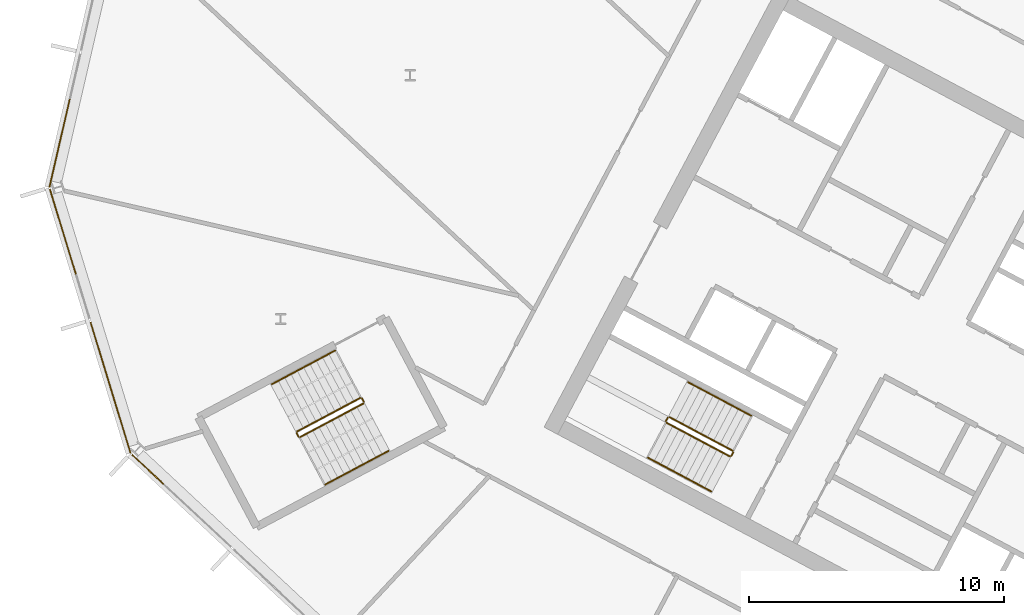
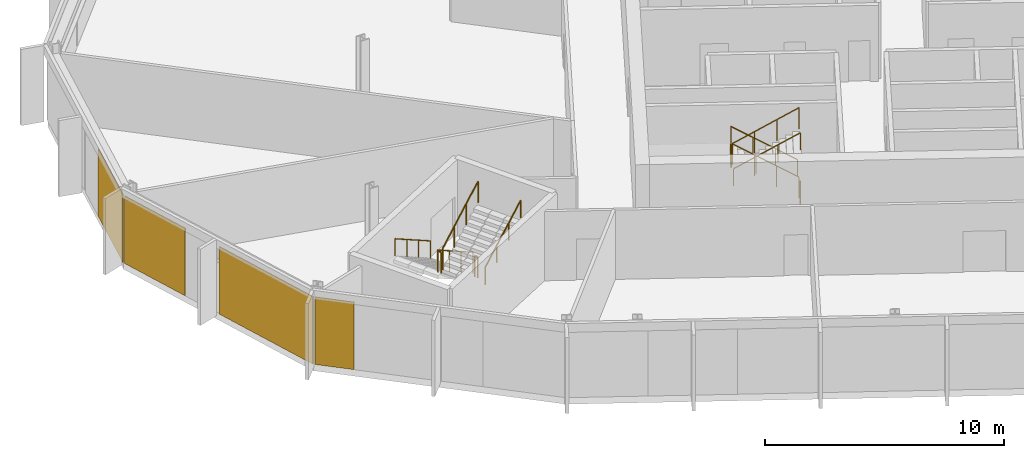
# One storey, part 20 of 26: 12 railings, 4 coverings, 3 elements without a shape of their own.
"""IFC4 building model written with IfcOpenShell, lengths in metres."""

from ifc_helpers import new_model, si_unit, direction, frame, origin, origin_2d, place, context, subcontext, project, spatial, polyline, rectangle, outline, extrude, material, layer, layer_set, type_object, element, aggregate, save


model = new_model("IFC4")

# Units and contexts
model_context = context("Model", 3, precision=1e-05, world=origin(), true_north=direction((0.0, 1.0)))
body_context = subcontext(model_context, "Body", "Model", "MODEL_VIEW")
ifc_project = project(units=[si_unit("LENGTHUNIT", "METRE"), si_unit("AREAUNIT", "SQUARE_METRE"), si_unit("VOLUMEUNIT", "CUBIC_METRE"), si_unit("PLANEANGLEUNIT", "RADIAN"), si_unit("MASSUNIT", "GRAM", prefix="KILO")], contexts=[model_context])

# Site, building, storey
site_placement = place(None, origin())
site = spatial("IfcSite", under=ifc_project, at=site_placement, CompositionType="ELEMENT")
building_placement = place(site_placement, origin())
building = spatial("IfcBuilding", under=site, at=building_placement, Name="Cormorant Relay Tower", CompositionType="ELEMENT")
storey_placement = place(building_placement, frame((0.0, 0.0, 244.199951171875)))
storey = spatial("IfcBuildingStorey", under=building, at=storey_placement, Name="L54", CompositionType="ELEMENT", Elevation=244.199951171875)

# Curtain wall, covering
ifc_material_1 = material(Name="Aluminium 6063-T6 anodised bronze", Category="aluminium")
ifc_layer_1 = layer(ifc_material_1, 0.199951171875)
ifc_layer_set_1 = layer_set([ifc_layer_1], Name="CW1 unitised bronze curtain wall with vertical fins")
curtain_wall_type = type_object("IfcCurtainWallType", Name="CW1 unitised bronze curtain wall with vertical fins", PredefinedType="NOTDEFINED", material=ifc_layer_set_1)
curtain_wall_1_placement = place(storey_placement, origin())
curtain_wall_1 = element("IfcCurtainWall", 1, at=curtain_wall_1_placement, inside=storey, type_object=curtain_wall_type, Name="CW1 curtain wall 13", PredefinedType="NOTDEFINED")
ifc_material_2 = material(Name="Pale bronze anodised aluminium insulated panel", Category="aluminium")
ifc_layer_2 = layer(ifc_material_2, 0.0400390625)
ifc_layer_set_2 = layer_set([ifc_layer_2], Name="CW1 pale bronze insulated panel 40")
covering_type = type_object("IfcCoveringType", Name="CW1 pale bronze insulated panel 40", PredefinedType="CLADDING", material=ifc_layer_set_2)
covering_1_placement = place(storey_placement, frame((-60.3388671875, 22.13232421875, 0.0), z_axis=(0.0, 0.0, 1.0), x_axis=(-0.224951054344, -0.974370064785, 0.0)))
covering_1 = element("IfcCovering", 2, at=covering_1_placement, type_object=covering_type, Name="CW1 panel S02", PredefinedType="CLADDING", context=body_context, shape_type="SweptSolid", body=[
    extrude(rectangle(XDim=3.560302734375, YDim=0.0400390625, at=origin_2d()), origin(), (0.0, 0.0, 1.0), 3.449951171875),
])
aggregate(curtain_wall_1, [covering_1])

# Curtain wall, coverings
curtain_wall_2_placement = place(storey_placement, origin())
curtain_wall_2 = element("IfcCurtainWall", 3, at=curtain_wall_2_placement, inside=storey, type_object=curtain_wall_type, Name="CW1 curtain wall 14", PredefinedType="NOTDEFINED")
covering_2_placement = place(storey_placement, frame((-60.20751953125, 18.6494140625, 0.0), z_axis=(0.0, 0.0, 1.0), x_axis=(0.292371704723, -0.956304755963, 0.0)))
covering_2 = element("IfcCovering", 4, at=covering_2_placement, type_object=covering_type, Name="CW1 panel S00", PredefinedType="CLADDING", context=body_context, shape_type="SweptSolid", body=[
    extrude(rectangle(XDim=3.485107421875, YDim=0.0400390625, at=origin_2d()), origin(), (0.0, 0.0, 1.0), 3.449951171875),
])
covering_3_placement = place(storey_placement, frame((-58.344482421875, 12.55517578125, 0.0), z_axis=(0.0, 0.0, 1.0), x_axis=(0.292371704723, -0.956304755963, 0.0)))
covering_3 = element("IfcCovering", 5, at=covering_3_placement, type_object=covering_type, Name="CW1 panel S02", PredefinedType="CLADDING", context=body_context, shape_type="SweptSolid", body=[
    extrude(rectangle(XDim=5.360107421875, YDim=0.0400390625, at=origin_2d()), origin(), (0.0, 0.0, 1.0), 3.449951171875),
])
aggregate(curtain_wall_2, [covering_2, covering_3])

# Curtain wall, covering
curtain_wall_3_placement = place(storey_placement, origin())
curtain_wall_3 = element("IfcCurtainWall", 6, at=curtain_wall_3_placement, inside=storey, type_object=curtain_wall_type, Name="CW1 curtain wall 15", PredefinedType="NOTDEFINED")
covering_4_placement = place(storey_placement, frame((-56.88427734375, 9.357421875, 0.0), z_axis=(0.0, 0.0, 1.0), x_axis=(0.731353701619, -0.681998360062, 0.0)))
covering_4 = element("IfcCovering", 7, at=covering_4_placement, type_object=covering_type, Name="CW1 panel S00", PredefinedType="CLADDING", context=body_context, shape_type="SweptSolid", body=[
    extrude(rectangle(XDim=1.685302734375, YDim=0.0400390625, at=origin_2d()), origin(), (0.0, 0.0, 1.0), 3.449951171875),
])
aggregate(curtain_wall_3, [covering_4])

# Railings
ifc_material_3 = material(Name="Steel ASTM A572 Grade 50 (Fy 345 MPa)", Category="steel")
railing_type_1 = type_object("IfcRailingType", Name="Stair guard 1100", PredefinedType="GUARDRAIL", material=ifc_material_3)
railing_1_placement = place(storey_placement, frame((-33.9921875, 10.08935546875, 0.17724609375)))
element("IfcRailing", 8, at=railing_1_placement, inside=storey, type_object=railing_type_1, Name="L54 A2 stair guard 1", PredefinedType="GUARDRAIL", context=body_context, shape_type="SweptSolid", body=[
    extrude(outline(polyline([(0.022216796875, 0.00927734375), (0.00927734375, 0.022216796875), (-0.00927734375, 0.022216796875), (-0.022216796875, 0.00927734375), (-0.022216796875, -0.00927734375), (-0.00927734375, -0.022216796875), (0.00927734375, -0.022216796875), (0.022216796875, -0.00927734375), (0.022216796875, 0.00927734375)])), frame((0.0, 0.0, 1.076171875), z_axis=(-0.746001213114, 0.396649272309, 0.534931345884), x_axis=(-0.469465464807, -0.882950835185, 0.0)), (0.0, 0.0, 1.0), 3.31396484375),
    extrude(outline(polyline([(0.019287109375, 0.008056640625), (0.008056640625, 0.019287109375), (-0.008056640625, 0.019287109375), (-0.019287109375, 0.008056640625), (-0.019287109375, -0.008056640625), (-0.008056640625, -0.019287109375), (0.008056640625, -0.019287109375), (0.019287109375, -0.008056640625), (0.019287109375, 0.008056640625)])), origin(), (0.0, 0.0, 1.0), 1.052001953125),
    extrude(outline(polyline([(0.019287109375, 0.008056640625), (0.008056640625, 0.019287109375), (-0.008056640625, 0.019287109375), (-0.019287109375, 0.008056640625), (-0.019287109375, -0.008056640625), (-0.008056640625, -0.019287109375), (0.008056640625, -0.019287109375), (0.019287109375, -0.008056640625), (0.019287109375, 0.008056640625)])), frame((-0.823974609375, 0.438232421875, 0.5908203125)), (0.0, 0.0, 1.0), 1.052001953125),
    extrude(outline(polyline([(0.019287109375, 0.008056640625), (0.008056640625, 0.019287109375), (-0.008056640625, 0.019287109375), (-0.019287109375, 0.008056640625), (-0.019287109375, -0.008056640625), (-0.008056640625, -0.019287109375), (0.008056640625, -0.019287109375), (0.019287109375, -0.008056640625), (0.019287109375, 0.008056640625)])), frame((-1.648193359375, 0.876220703125, 1.181884765625)), (0.0, 0.0, 1.0), 1.052001953125),
    extrude(outline(polyline([(0.019287109375, 0.008056640625), (0.008056640625, 0.019287109375), (-0.008056640625, 0.019287109375), (-0.019287109375, 0.008056640625), (-0.019287109375, -0.008056640625), (-0.008056640625, -0.019287109375), (0.008056640625, -0.019287109375), (0.019287109375, -0.008056640625), (0.019287109375, 0.008056640625)])), frame((-2.47216796875, 1.314453125, 1.772705078125)), (0.0, 0.0, 1.0), 1.052001953125),
])
railing_2_placement = place(storey_placement, frame((-36.531982421875, 11.38330078125, 1.949951171875)))
element("IfcRailing", 9, at=railing_2_placement, inside=storey, type_object=railing_type_1, Name="L54 A2 stair guard 2", PredefinedType="GUARDRAIL", context=body_context, shape_type="SweptSolid", body=[
    extrude(outline(polyline([(0.022216796875, 0.00927734375), (0.00927734375, 0.022216796875), (-0.00927734375, 0.022216796875), (-0.022216796875, 0.00927734375), (-0.022216796875, -0.00927734375), (-0.00927734375, -0.022216796875), (0.00927734375, -0.022216796875), (0.022216796875, -0.00927734375), (0.022216796875, 0.00927734375)])), frame((0.0, 0.0, 1.076171875), z_axis=(-0.469828648786, -0.882757634224, 0.0), x_axis=(0.882757634224, -0.469828648786, 0.0)), (0.0, 0.0, 1.0), 0.150146484375),
    extrude(outline(polyline([(0.019287109375, 0.008056640625), (0.008056640625, 0.019287109375), (-0.008056640625, 0.019287109375), (-0.019287109375, 0.008056640625), (-0.019287109375, -0.008056640625), (-0.008056640625, -0.019287109375), (0.008056640625, -0.019287109375), (0.019287109375, -0.008056640625), (0.019287109375, 0.008056640625)])), origin(), (0.0, 0.0, 1.0), 1.052001953125),
    extrude(outline(polyline([(0.019287109375, 0.008056640625), (0.008056640625, 0.019287109375), (-0.008056640625, 0.019287109375), (-0.019287109375, 0.008056640625), (-0.019287109375, -0.008056640625), (-0.008056640625, -0.019287109375), (0.008056640625, -0.019287109375), (0.019287109375, -0.008056640625), (0.019287109375, 0.008056640625)])), frame((-0.070556640625, -0.132568359375, 0.0)), (0.0, 0.0, 1.0), 1.052001953125),
])
railing_3_placement = place(storey_placement, frame((-36.581787109375, 11.18310546875, 2.12744140625)))
element("IfcRailing", 10, at=railing_3_placement, inside=storey, type_object=railing_type_1, Name="L54 A2 stair guard 3", PredefinedType="GUARDRAIL", context=body_context, shape_type="SweptSolid", body=[
    extrude(outline(polyline([(0.022216796875, 0.00927734375), (0.00927734375, 0.022216796875), (-0.00927734375, 0.022216796875), (-0.022216796875, 0.00927734375), (-0.022216796875, -0.00927734375), (-0.00927734375, -0.022216796875), (0.00927734375, -0.022216796875), (0.022216796875, -0.00927734375), (0.022216796875, 0.00927734375)])), frame((0.0, 0.0, 1.076171875), z_axis=(0.746001213114, -0.396649272309, 0.534931345884), x_axis=(0.469465464807, 0.882950835185, 0.0)), (0.0, 0.0, 1.0), 3.31396484375),
    extrude(outline(polyline([(0.019287109375, 0.008056640625), (0.008056640625, 0.019287109375), (-0.008056640625, 0.019287109375), (-0.019287109375, 0.008056640625), (-0.019287109375, -0.008056640625), (-0.008056640625, -0.019287109375), (0.008056640625, -0.019287109375), (0.019287109375, -0.008056640625), (0.019287109375, 0.008056640625)])), origin(), (0.0, 0.0, 1.0), 1.052001953125),
    extrude(outline(polyline([(0.019287109375, 0.008056640625), (0.008056640625, 0.019287109375), (-0.008056640625, 0.019287109375), (-0.019287109375, 0.008056640625), (-0.019287109375, -0.008056640625), (-0.008056640625, -0.019287109375), (0.008056640625, -0.019287109375), (0.019287109375, -0.008056640625), (0.019287109375, 0.008056640625)])), frame((0.823974609375, -0.438232421875, 0.5908203125)), (0.0, 0.0, 1.0), 1.052001953125),
    extrude(outline(polyline([(0.019287109375, 0.008056640625), (0.008056640625, 0.019287109375), (-0.008056640625, 0.019287109375), (-0.019287109375, 0.008056640625), (-0.019287109375, -0.008056640625), (-0.008056640625, -0.019287109375), (0.008056640625, -0.019287109375), (0.019287109375, -0.008056640625), (0.019287109375, 0.008056640625)])), frame((1.648193359375, -0.876220703125, 1.181884765625)), (0.0, 0.0, 1.0), 1.052001953125),
    extrude(outline(polyline([(0.019287109375, 0.008056640625), (0.008056640625, 0.019287109375), (-0.008056640625, 0.019287109375), (-0.019287109375, 0.008056640625), (-0.019287109375, -0.008056640625), (-0.008056640625, -0.019287109375), (0.008056640625, -0.019287109375), (0.019287109375, -0.008056640625), (0.019287109375, 0.008056640625)])), frame((2.47216796875, -1.314453125, 1.772705078125)), (0.0, 0.0, 1.0), 1.052001953125),
])
railing_4_placement = place(storey_placement, frame((-33.971435546875, 10.021728515625, 0.0)))
element("IfcRailing", 11, at=railing_4_placement, inside=storey, type_object=railing_type_1, Name="L54 A2 stair guard 4", PredefinedType="GUARDRAIL", context=body_context, shape_type="SweptSolid", body=[
    extrude(outline(polyline([(0.022216796875, 0.00927734375), (0.00927734375, 0.022216796875), (-0.00927734375, 0.022216796875), (-0.022216796875, 0.00927734375), (-0.022216796875, -0.00927734375), (-0.00927734375, -0.022216796875), (0.00927734375, -0.022216796875), (0.022216796875, -0.00927734375), (0.022216796875, 0.00927734375)])), frame((0.0, 0.0, 1.076171875), z_axis=(-0.470503732759, -0.882398003998, 0.0), x_axis=(0.882398003998, -0.470503732759, 0.0)), (0.0, 0.0, 1.0), 0.14990234375),
    extrude(outline(polyline([(0.019287109375, 0.008056640625), (0.008056640625, 0.019287109375), (-0.008056640625, 0.019287109375), (-0.019287109375, 0.008056640625), (-0.019287109375, -0.008056640625), (-0.008056640625, -0.019287109375), (0.008056640625, -0.019287109375), (0.019287109375, -0.008056640625), (0.019287109375, 0.008056640625)])), origin(), (0.0, 0.0, 1.0), 1.052001953125),
    extrude(outline(polyline([(0.019287109375, 0.008056640625), (0.008056640625, 0.019287109375), (-0.008056640625, 0.019287109375), (-0.019287109375, 0.008056640625), (-0.019287109375, -0.008056640625), (-0.008056640625, -0.019287109375), (0.008056640625, -0.019287109375), (0.019287109375, -0.008056640625), (0.019287109375, 0.008056640625)])), frame((-0.070556640625, -0.13232421875, 0.0)), (0.0, 0.0, 1.0), 1.052001953125),
])
railing_5_placement = place(storey_placement, frame((-48.5693359375, 12.155517578125, 0.17724609375)))
element("IfcRailing", 12, at=railing_5_placement, inside=storey, type_object=railing_type_1, Name="L54 RP1 stair guard 1", PredefinedType="GUARDRAIL", context=body_context, shape_type="SweptSolid", body=[
    extrude(outline(polyline([(0.022216796875, 0.00927734375), (0.00927734375, 0.022216796875), (-0.00927734375, 0.022216796875), (-0.022216796875, 0.00927734375), (-0.022216796875, -0.00927734375), (-0.00927734375, -0.022216796875), (0.00927734375, -0.022216796875), (0.022216796875, -0.00927734375), (0.022216796875, 0.00927734375)])), frame((0.0, 0.0, 1.076171875), z_axis=(-0.746012083385, -0.396689549623, 0.534886317514), x_axis=(0.469497295046, -0.882933910293, 0.0)), (0.0, 0.0, 1.0), 3.314208984375),
    extrude(outline(polyline([(0.019287109375, 0.008056640625), (0.008056640625, 0.019287109375), (-0.008056640625, 0.019287109375), (-0.019287109375, 0.008056640625), (-0.019287109375, -0.008056640625), (-0.008056640625, -0.019287109375), (0.008056640625, -0.019287109375), (0.019287109375, -0.008056640625), (0.019287109375, 0.008056640625)])), origin(), (0.0, 0.0, 1.0), 1.052001953125),
    extrude(outline(polyline([(0.019287109375, 0.008056640625), (0.008056640625, 0.019287109375), (-0.008056640625, 0.019287109375), (-0.019287109375, 0.008056640625), (-0.019287109375, -0.008056640625), (-0.008056640625, -0.019287109375), (0.008056640625, -0.019287109375), (0.019287109375, -0.008056640625), (0.019287109375, 0.008056640625)])), frame((-0.82421875, -0.438232421875, 0.5908203125)), (0.0, 0.0, 1.0), 1.052001953125),
    extrude(outline(polyline([(0.019287109375, 0.008056640625), (0.008056640625, 0.019287109375), (-0.008056640625, 0.019287109375), (-0.019287109375, 0.008056640625), (-0.019287109375, -0.008056640625), (-0.008056640625, -0.019287109375), (0.008056640625, -0.019287109375), (0.019287109375, -0.008056640625), (0.019287109375, 0.008056640625)])), frame((-1.648193359375, -0.87646484375, 1.181884765625)), (0.0, 0.0, 1.0), 1.052001953125),
    extrude(outline(polyline([(0.019287109375, 0.008056640625), (0.008056640625, 0.019287109375), (-0.008056640625, 0.019287109375), (-0.019287109375, 0.008056640625), (-0.019287109375, -0.008056640625), (-0.008056640625, -0.019287109375), (0.008056640625, -0.019287109375), (0.019287109375, -0.008056640625), (0.019287109375, 0.008056640625)])), frame((-2.472412109375, -1.314697265625, 1.772705078125)), (0.0, 0.0, 1.0), 1.052001953125),
])
railing_6_placement = place(storey_placement, frame((-51.062255859375, 10.773193359375, 1.949951171875)))
element("IfcRailing", 13, at=railing_6_placement, inside=storey, type_object=railing_type_1, Name="L54 RP1 stair guard 2", PredefinedType="GUARDRAIL", context=body_context, shape_type="SweptSolid", body=[
    extrude(outline(polyline([(0.022216796875, 0.00927734375), (0.00927734375, 0.022216796875), (-0.00927734375, 0.022216796875), (-0.022216796875, 0.00927734375), (-0.022216796875, -0.00927734375), (-0.00927734375, -0.022216796875), (0.00927734375, -0.022216796875), (0.022216796875, -0.00927734375), (0.022216796875, 0.00927734375)])), frame((0.0, 0.0, 1.076171875), z_axis=(0.469234640946, -0.883073525669, 0.0), x_axis=(0.883073525669, 0.469234640946, 0.0)), (0.0, 0.0, 1.0), 0.14990234375),
    extrude(outline(polyline([(0.019287109375, 0.008056640625), (0.008056640625, 0.019287109375), (-0.008056640625, 0.019287109375), (-0.019287109375, 0.008056640625), (-0.019287109375, -0.008056640625), (-0.008056640625, -0.019287109375), (0.008056640625, -0.019287109375), (0.019287109375, -0.008056640625), (0.019287109375, 0.008056640625)])), origin(), (0.0, 0.0, 1.0), 1.052001953125),
    extrude(outline(polyline([(0.019287109375, 0.008056640625), (0.008056640625, 0.019287109375), (-0.008056640625, 0.019287109375), (-0.019287109375, 0.008056640625), (-0.019287109375, -0.008056640625), (-0.008056640625, -0.019287109375), (0.008056640625, -0.019287109375), (0.019287109375, -0.008056640625), (0.019287109375, 0.008056640625)])), frame((0.0703125, -0.13232421875, 0.0)), (0.0, 0.0, 1.0), 1.052001953125),
])
railing_7_placement = place(storey_placement, frame((-50.92431640625, 10.6201171875, 2.12744140625)))
element("IfcRailing", 14, at=railing_7_placement, inside=storey, type_object=railing_type_1, Name="L54 RP1 stair guard 3", PredefinedType="GUARDRAIL", context=body_context, shape_type="SweptSolid", body=[
    extrude(outline(polyline([(0.022216796875, 0.00927734375), (0.00927734375, 0.022216796875), (-0.00927734375, 0.022216796875), (-0.022216796875, 0.00927734375), (-0.022216796875, -0.00927734375), (-0.00927734375, -0.022216796875), (0.00927734375, -0.022216796875), (0.022216796875, -0.00927734375), (0.022216796875, 0.00927734375)])), frame((0.0, 0.0, 1.076171875), z_axis=(0.746033882577, 0.396627473466, 0.534901947407), x_axis=(-0.469429322983, 0.882970050864, 0.0)), (0.0, 0.0, 1.0), 3.31396484375),
    extrude(outline(polyline([(0.019287109375, 0.008056640625), (0.008056640625, 0.019287109375), (-0.008056640625, 0.019287109375), (-0.019287109375, 0.008056640625), (-0.019287109375, -0.008056640625), (-0.008056640625, -0.019287109375), (0.008056640625, -0.019287109375), (0.019287109375, -0.008056640625), (0.019287109375, 0.008056640625)])), origin(), (0.0, 0.0, 1.0), 1.052001953125),
    extrude(outline(polyline([(0.019287109375, 0.008056640625), (0.008056640625, 0.019287109375), (-0.008056640625, 0.019287109375), (-0.019287109375, 0.008056640625), (-0.019287109375, -0.008056640625), (-0.008056640625, -0.019287109375), (0.008056640625, -0.019287109375), (0.019287109375, -0.008056640625), (0.019287109375, 0.008056640625)])), frame((0.82421875, 0.438232421875, 0.5908203125)), (0.0, 0.0, 1.0), 1.052001953125),
    extrude(outline(polyline([(0.019287109375, 0.008056640625), (0.008056640625, 0.019287109375), (-0.008056640625, 0.019287109375), (-0.019287109375, 0.008056640625), (-0.019287109375, -0.008056640625), (-0.008056640625, -0.019287109375), (0.008056640625, -0.019287109375), (0.019287109375, -0.008056640625), (0.019287109375, 0.008056640625)])), frame((1.648193359375, 0.876220703125, 1.181884765625)), (0.0, 0.0, 1.0), 1.052001953125),
    extrude(outline(polyline([(0.019287109375, 0.008056640625), (0.008056640625, 0.019287109375), (-0.008056640625, 0.019287109375), (-0.019287109375, 0.008056640625), (-0.019287109375, -0.008056640625), (-0.008056640625, -0.019287109375), (0.008056640625, -0.019287109375), (0.019287109375, -0.008056640625), (0.019287109375, 0.008056640625)])), frame((2.472412109375, 1.314453125, 1.772705078125)), (0.0, 0.0, 1.0), 1.052001953125),
])
railing_8_placement = place(storey_placement, frame((-48.501708984375, 12.134765625, 0.0)))
element("IfcRailing", 15, at=railing_8_placement, inside=storey, type_object=railing_type_1, Name="L54 RP1 stair guard 4", PredefinedType="GUARDRAIL", context=body_context, shape_type="SweptSolid", body=[
    extrude(outline(polyline([(0.022216796875, 0.00927734375), (0.00927734375, 0.022216796875), (-0.00927734375, 0.022216796875), (-0.022216796875, 0.00927734375), (-0.022216796875, -0.00927734375), (-0.00927734375, -0.022216796875), (0.00927734375, -0.022216796875), (0.022216796875, -0.00927734375), (0.022216796875, 0.00927734375)])), frame((0.0, 0.0, 1.076171875), z_axis=(0.46856034887, -0.8834314911, 0.0), x_axis=(0.8834314911, 0.46856034887, 0.0)), (0.0, 0.0, 1.0), 0.150146484375),
    extrude(outline(polyline([(0.019287109375, 0.008056640625), (0.008056640625, 0.019287109375), (-0.008056640625, 0.019287109375), (-0.019287109375, 0.008056640625), (-0.019287109375, -0.008056640625), (-0.008056640625, -0.019287109375), (0.008056640625, -0.019287109375), (0.019287109375, -0.008056640625), (0.019287109375, 0.008056640625)])), origin(), (0.0, 0.0, 1.0), 1.052001953125),
    extrude(outline(polyline([(0.019287109375, 0.008056640625), (0.008056640625, 0.019287109375), (-0.008056640625, 0.019287109375), (-0.019287109375, 0.008056640625), (-0.019287109375, -0.008056640625), (-0.008056640625, -0.019287109375), (0.008056640625, -0.019287109375), (0.019287109375, -0.008056640625), (0.019287109375, 0.008056640625)])), frame((0.0703125, -0.132568359375, 0.0)), (0.0, 0.0, 1.0), 1.052001953125),
])
ifc_material_4 = material(Name="Steel ASTM A572 Grade 50 (Fy 345 MPa)", Category="steel")
railing_type_2 = type_object("IfcRailingType", Name="Stair handrail 900", PredefinedType="HANDRAIL", material=ifc_material_4)
railing_9_placement = place(storey_placement, frame((-33.264404296875, 11.4580078125, 0.17724609375)))
element("IfcRailing", 16, at=railing_9_placement, inside=storey, type_object=railing_type_2, Name="L54 A2 stair handrail 1", PredefinedType="HANDRAIL", context=body_context, shape_type="SweptSolid", body=[
    extrude(outline(polyline([(0.022216796875, 0.00927734375), (0.00927734375, 0.022216796875), (-0.00927734375, 0.022216796875), (-0.022216796875, 0.00927734375), (-0.022216796875, -0.00927734375), (-0.00927734375, -0.022216796875), (0.00927734375, -0.022216796875), (0.022216796875, -0.00927734375), (0.022216796875, 0.00927734375)])), frame((0.0, 0.0, 0.8759765625), z_axis=(-0.746033882577, 0.396627473466, 0.534901947407), x_axis=(-0.469429322983, -0.882970050864, 0.0)), (0.0, 0.0, 1.0), 3.31396484375),
    extrude(outline(polyline([(0.019287109375, 0.008056640625), (0.008056640625, 0.019287109375), (-0.008056640625, 0.019287109375), (-0.019287109375, 0.008056640625), (-0.019287109375, -0.008056640625), (-0.008056640625, -0.019287109375), (0.008056640625, -0.019287109375), (0.019287109375, -0.008056640625), (0.019287109375, 0.008056640625)])), origin(), (0.0, 0.0, 1.0), 0.851806640625),
    extrude(outline(polyline([(0.019287109375, 0.008056640625), (0.008056640625, 0.019287109375), (-0.008056640625, 0.019287109375), (-0.019287109375, 0.008056640625), (-0.019287109375, -0.008056640625), (-0.008056640625, -0.019287109375), (0.008056640625, -0.019287109375), (0.019287109375, -0.008056640625), (0.019287109375, 0.008056640625)])), frame((-0.82421875, 0.438232421875, 0.5908203125)), (0.0, 0.0, 1.0), 0.851806640625),
    extrude(outline(polyline([(0.019287109375, 0.008056640625), (0.008056640625, 0.019287109375), (-0.008056640625, 0.019287109375), (-0.019287109375, 0.008056640625), (-0.019287109375, -0.008056640625), (-0.008056640625, -0.019287109375), (0.008056640625, -0.019287109375), (0.019287109375, -0.008056640625), (0.019287109375, 0.008056640625)])), frame((-1.648193359375, 0.876220703125, 1.181884765625)), (0.0, 0.0, 1.0), 0.851806640625),
    extrude(outline(polyline([(0.019287109375, 0.008056640625), (0.008056640625, 0.019287109375), (-0.008056640625, 0.019287109375), (-0.019287109375, 0.008056640625), (-0.019287109375, -0.008056640625), (-0.008056640625, -0.019287109375), (0.008056640625, -0.019287109375), (0.019287109375, -0.008056640625), (0.019287109375, 0.008056640625)])), frame((-2.472412109375, 1.314453125, 1.772705078125)), (0.0, 0.0, 1.0), 0.851806640625),
])
railing_10_placement = place(storey_placement, frame((-37.3095703125, 9.814453125, 2.12744140625)))
element("IfcRailing", 17, at=railing_10_placement, inside=storey, type_object=railing_type_2, Name="L54 A2 stair handrail 2", PredefinedType="HANDRAIL", context=body_context, shape_type="SweptSolid", body=[
    extrude(outline(polyline([(0.022216796875, 0.00927734375), (0.00927734375, 0.022216796875), (-0.00927734375, 0.022216796875), (-0.022216796875, 0.00927734375), (-0.022216796875, -0.00927734375), (-0.00927734375, -0.022216796875), (0.00927734375, -0.022216796875), (0.022216796875, -0.00927734375), (0.022216796875, 0.00927734375)])), frame((0.0, 0.0, 0.8759765625), z_axis=(0.746033882577, -0.396627473466, 0.534901947407), x_axis=(0.469429322983, 0.882970050864, 0.0)), (0.0, 0.0, 1.0), 3.31396484375),
    extrude(outline(polyline([(0.019287109375, 0.008056640625), (0.008056640625, 0.019287109375), (-0.008056640625, 0.019287109375), (-0.019287109375, 0.008056640625), (-0.019287109375, -0.008056640625), (-0.008056640625, -0.019287109375), (0.008056640625, -0.019287109375), (0.019287109375, -0.008056640625), (0.019287109375, 0.008056640625)])), origin(), (0.0, 0.0, 1.0), 0.851806640625),
    extrude(outline(polyline([(0.019287109375, 0.008056640625), (0.008056640625, 0.019287109375), (-0.008056640625, 0.019287109375), (-0.019287109375, 0.008056640625), (-0.019287109375, -0.008056640625), (-0.008056640625, -0.019287109375), (0.008056640625, -0.019287109375), (0.019287109375, -0.008056640625), (0.019287109375, 0.008056640625)])), frame((0.82421875, -0.438232421875, 0.5908203125)), (0.0, 0.0, 1.0), 0.851806640625),
    extrude(outline(polyline([(0.019287109375, 0.008056640625), (0.008056640625, 0.019287109375), (-0.008056640625, 0.019287109375), (-0.019287109375, 0.008056640625), (-0.019287109375, -0.008056640625), (-0.008056640625, -0.019287109375), (0.008056640625, -0.019287109375), (0.019287109375, -0.008056640625), (0.019287109375, 0.008056640625)])), frame((1.648193359375, -0.876220703125, 1.181884765625)), (0.0, 0.0, 1.0), 0.851806640625),
    extrude(outline(polyline([(0.019287109375, 0.008056640625), (0.008056640625, 0.019287109375), (-0.008056640625, 0.019287109375), (-0.019287109375, 0.008056640625), (-0.019287109375, -0.008056640625), (-0.008056640625, -0.019287109375), (0.008056640625, -0.019287109375), (0.019287109375, -0.008056640625), (0.019287109375, 0.008056640625)])), frame((2.472412109375, -1.314453125, 1.772705078125)), (0.0, 0.0, 1.0), 0.851806640625),
])
railing_11_placement = place(storey_placement, frame((-49.55517578125, 14.009521484375, 0.17724609375)))
element("IfcRailing", 18, at=railing_11_placement, inside=storey, type_object=railing_type_2, Name="L54 RP1 stair handrail 1", PredefinedType="HANDRAIL", context=body_context, shape_type="SweptSolid", body=[
    extrude(outline(polyline([(0.022216796875, 0.00927734375), (0.00927734375, 0.022216796875), (-0.00927734375, 0.022216796875), (-0.022216796875, 0.00927734375), (-0.022216796875, -0.00927734375), (-0.00927734375, -0.022216796875), (0.00927734375, -0.022216796875), (0.022216796875, -0.00927734375), (0.022216796875, 0.00927734375)])), frame((0.0, 0.0, 0.8759765625), z_axis=(-0.746033882577, -0.396627473466, 0.534901947407), x_axis=(0.469429322983, -0.882970050864, 0.0)), (0.0, 0.0, 1.0), 3.31396484375),
    extrude(outline(polyline([(0.019287109375, 0.008056640625), (0.008056640625, 0.019287109375), (-0.008056640625, 0.019287109375), (-0.019287109375, 0.008056640625), (-0.019287109375, -0.008056640625), (-0.008056640625, -0.019287109375), (0.008056640625, -0.019287109375), (0.019287109375, -0.008056640625), (0.019287109375, 0.008056640625)])), origin(), (0.0, 0.0, 1.0), 0.851806640625),
    extrude(outline(polyline([(0.019287109375, 0.008056640625), (0.008056640625, 0.019287109375), (-0.008056640625, 0.019287109375), (-0.019287109375, 0.008056640625), (-0.019287109375, -0.008056640625), (-0.008056640625, -0.019287109375), (0.008056640625, -0.019287109375), (0.019287109375, -0.008056640625), (0.019287109375, 0.008056640625)])), frame((-0.82421875, -0.438232421875, 0.5908203125)), (0.0, 0.0, 1.0), 0.851806640625),
    extrude(outline(polyline([(0.019287109375, 0.008056640625), (0.008056640625, 0.019287109375), (-0.008056640625, 0.019287109375), (-0.019287109375, 0.008056640625), (-0.019287109375, -0.008056640625), (-0.008056640625, -0.019287109375), (0.008056640625, -0.019287109375), (0.019287109375, -0.008056640625), (0.019287109375, 0.008056640625)])), frame((-1.648193359375, -0.876220703125, 1.181884765625)), (0.0, 0.0, 1.0), 0.851806640625),
    extrude(outline(polyline([(0.019287109375, 0.008056640625), (0.008056640625, 0.019287109375), (-0.008056640625, 0.019287109375), (-0.019287109375, 0.008056640625), (-0.019287109375, -0.008056640625), (-0.008056640625, -0.019287109375), (0.008056640625, -0.019287109375), (0.019287109375, -0.008056640625), (0.019287109375, 0.008056640625)])), frame((-2.472412109375, -1.314453125, 1.772705078125)), (0.0, 0.0, 1.0), 0.851806640625),
])
railing_12_placement = place(storey_placement, frame((-49.9384765625, 8.765869140625, 2.12744140625)))
element("IfcRailing", 19, at=railing_12_placement, inside=storey, type_object=railing_type_2, Name="L54 RP1 stair handrail 2", PredefinedType="HANDRAIL", context=body_context, shape_type="SweptSolid", body=[
    extrude(outline(polyline([(0.022216796875, 0.00927734375), (0.00927734375, 0.022216796875), (-0.00927734375, 0.022216796875), (-0.022216796875, 0.00927734375), (-0.022216796875, -0.00927734375), (-0.00927734375, -0.022216796875), (0.00927734375, -0.022216796875), (0.022216796875, -0.00927734375), (0.022216796875, 0.00927734375)])), frame((0.0, 0.0, 0.8759765625), z_axis=(0.746012083385, 0.396689549623, 0.534886317514), x_axis=(-0.469497295046, 0.882933910293, 0.0)), (0.0, 0.0, 1.0), 3.314208984375),
    extrude(outline(polyline([(0.019287109375, 0.008056640625), (0.008056640625, 0.019287109375), (-0.008056640625, 0.019287109375), (-0.019287109375, 0.008056640625), (-0.019287109375, -0.008056640625), (-0.008056640625, -0.019287109375), (0.008056640625, -0.019287109375), (0.019287109375, -0.008056640625), (0.019287109375, 0.008056640625)])), origin(), (0.0, 0.0, 1.0), 0.851806640625),
    extrude(outline(polyline([(0.019287109375, 0.008056640625), (0.008056640625, 0.019287109375), (-0.008056640625, 0.019287109375), (-0.019287109375, 0.008056640625), (-0.019287109375, -0.008056640625), (-0.008056640625, -0.019287109375), (0.008056640625, -0.019287109375), (0.019287109375, -0.008056640625), (0.019287109375, 0.008056640625)])), frame((0.82421875, 0.438232421875, 0.5908203125)), (0.0, 0.0, 1.0), 0.851806640625),
    extrude(outline(polyline([(0.019287109375, 0.008056640625), (0.008056640625, 0.019287109375), (-0.008056640625, 0.019287109375), (-0.019287109375, 0.008056640625), (-0.019287109375, -0.008056640625), (-0.008056640625, -0.019287109375), (0.008056640625, -0.019287109375), (0.019287109375, -0.008056640625), (0.019287109375, 0.008056640625)])), frame((1.648193359375, 0.87646484375, 1.181884765625)), (0.0, 0.0, 1.0), 0.851806640625),
    extrude(outline(polyline([(0.019287109375, 0.008056640625), (0.008056640625, 0.019287109375), (-0.008056640625, 0.019287109375), (-0.019287109375, 0.008056640625), (-0.019287109375, -0.008056640625), (-0.008056640625, -0.019287109375), (0.008056640625, -0.019287109375), (0.019287109375, -0.008056640625), (0.019287109375, 0.008056640625)])), frame((2.472412109375, 1.314697265625, 1.772705078125)), (0.0, 0.0, 1.0), 0.851806640625),
])

save(model, "model.ifc")
